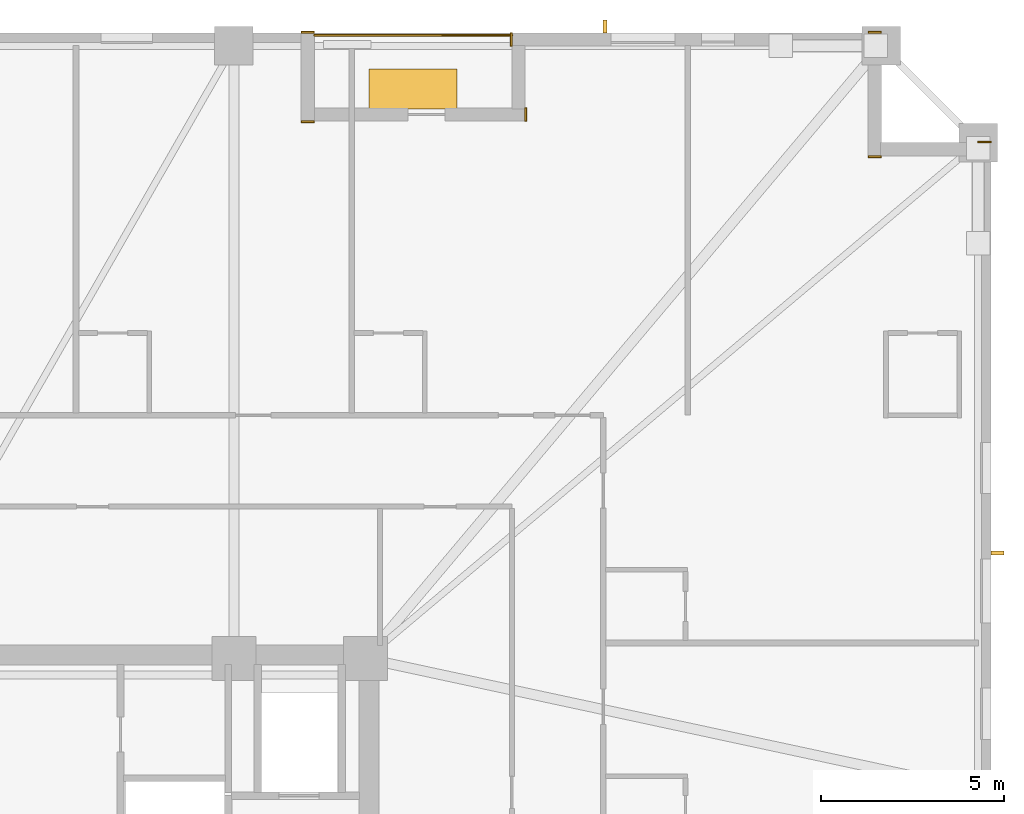
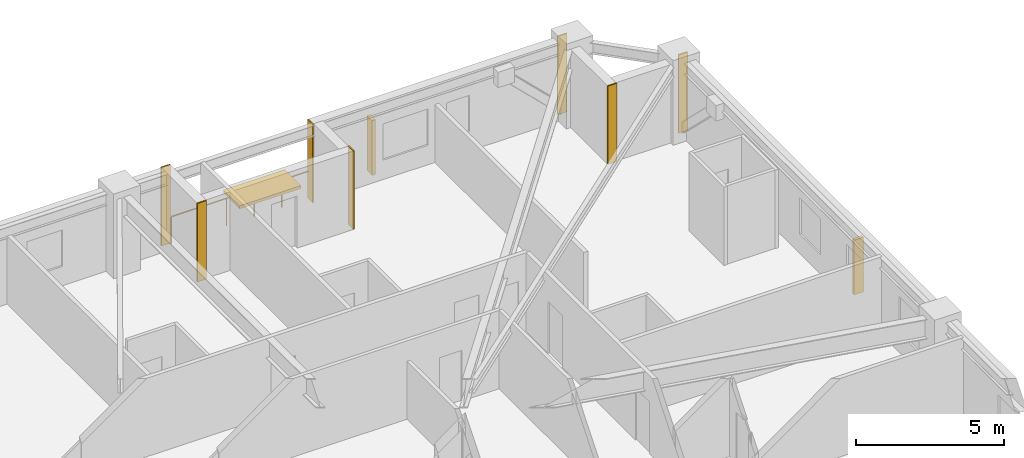
# One storey, part 11 of 11: 7 coverings, 3 shading devices, 1 railing.
"""IFC4 building model written with IfcOpenShell, lengths in metres."""

import ifcopenshell
import ifcopenshell.guid

model = None  # the IFC model being written
_history = None  # IfcOwnerHistory: only IFC2X3 demands one
_inside = {}  # id of a spatial element -> (the spatial element, [elements in it])
_under = {}  # id of a project, library or spatial element -> (it, [spatial elements below it])
_declared = {}  # id of a project -> (the project, [libraries it declares])
_typed = {}  # id of a type object -> (the type object, [elements of that type])
_made_of = {}  # id of a material, layer set ... -> (it, [elements and type objects made of it])


def new_model(schema):
    """Start an empty IFC model of exactly this schema.

    Asked for "IFC4X3", IfcOpenShell would pick the latest addendum, in which some entities
    have other attributes; the version numbers below select the first issue.
    IFC2X3 requires an IfcOwnerHistory on every rooted entity: one is made here for all.
    """
    global model, _history
    if schema == "IFC4X3":
        model = ifcopenshell.file(schema_version=(4, 3, 0, 0))
    else:
        model = ifcopenshell.file(schema=schema)
    _inside.clear()
    _under.clear()
    _declared.clear()
    _typed.clear()
    _made_of.clear()
    _history = None
    if model.schema == "IFC2X3":
        org = make("IfcOrganization", Name="unknown")
        user = make(
            "IfcPersonAndOrganization",
            ThePerson=make("IfcPerson", FamilyName="unknown"),
            TheOrganization=org,
        )
        app = make(
            "IfcApplication",
            ApplicationDeveloper=org,
            Version="unknown",
            ApplicationFullName="unknown",
            ApplicationIdentifier="unknown",
        )
        _history = make(
            "IfcOwnerHistory",
            OwningUser=user,
            OwningApplication=app,
            ChangeAction="ADDED",
            CreationDate=0,
        )
    return model


def make(cls, **values):
    """One entity of the class cls with the attributes given. An attribute that is None is left unset."""
    return model.create_entity(
        cls, **{name: value for name, value in values.items() if value is not None}
    )


def rooted(cls, **values):
    """An entity with a GlobalId (a new one), such as an element, a storey or a relation."""
    return make(cls, GlobalId=ifcopenshell.guid.new(), OwnerHistory=_history, **values)


def si_unit(unit_type, name, prefix=None):
    """IfcSIUnit, for example si_unit("LENGTHUNIT", "METRE", prefix="MILLI")."""
    return make("IfcSIUnit", UnitType=unit_type, Prefix=prefix, Name=name)


def assignment(units):
    """IfcUnitAssignment: the units of a project."""
    return None if units is None else make("IfcUnitAssignment", Units=units)


def point(xyz):
    """IfcCartesianPoint."""
    return None if xyz is None else make("IfcCartesianPoint", Coordinates=xyz)


def direction(xyz):
    """IfcDirection."""
    return None if xyz is None else make("IfcDirection", DirectionRatios=xyz)


def frame(location, z_axis=None, x_axis=None):
    """IfcAxis2Placement3D, a coordinate frame: its origin and axes. An axis left out is left unset."""
    return make(
        "IfcAxis2Placement3D",
        Location=point(location),
        Axis=direction(z_axis),
        RefDirection=direction(x_axis),
    )


def frame_2d(location, x_axis=None):
    """IfcAxis2Placement2D, a coordinate frame in the plane: its origin and x axis."""
    return make(
        "IfcAxis2Placement2D", Location=point(location), RefDirection=direction(x_axis)
    )


def origin():
    """The frame at (0, 0, 0) with its axes left unset."""
    return frame((0.0, 0.0, 0.0))


def origin_2d():
    """The frame at (0, 0) in the plane with its x axis left unset."""
    return frame_2d((0.0, 0.0))


def place(relative_to, where):
    """IfcLocalPlacement: puts the frame where relative to a parent placement (None: the world)."""
    return make(
        "IfcLocalPlacement", PlacementRelTo=relative_to, RelativePlacement=where
    )


def context(
    kind, dimensions, precision=None, world=None, true_north=None, identifier=None
):
    """IfcGeometricRepresentationContext, for example the 3D "Model" context."""
    return make(
        "IfcGeometricRepresentationContext",
        ContextIdentifier=identifier,
        ContextType=kind,
        CoordinateSpaceDimension=dimensions,
        Precision=precision,
        WorldCoordinateSystem=world,
        TrueNorth=true_north,
    )


def subcontext(parent, identifier, kind, view, scale=None):
    """IfcGeometricRepresentationSubContext, for example "Body" below "Model"."""
    return make(
        "IfcGeometricRepresentationSubContext",
        ContextIdentifier=identifier,
        ContextType=kind,
        ParentContext=parent,
        TargetScale=scale,
        TargetView=view,
    )


def project(units=None, contexts=None):
    """IfcProject with its units and contexts."""
    return rooted(
        "IfcProject",
        Name="project",
        RepresentationContexts=contexts,
        UnitsInContext=assignment(units),
    )


def spatial(cls, under=None, at=None, **own):
    """A site, building, storey or space (cls), placed at a placement, below another one or the project."""
    s = rooted(cls, ObjectPlacement=at, **own)
    if under is not None:
        _under.setdefault(under.id(), (under, []))[1].append(s)
    return s


def profile(cls, at=None, kind="AREA", **sizes):
    """A parametric profile (cls). Its sizes go by their IFC names, for example OverallWidth=200.0."""
    return make(cls, ProfileType=kind, Position=at, **sizes)


def rectangle(**sizes):
    """IfcRectangleProfileDef."""
    return profile("IfcRectangleProfileDef", **sizes)


def circle(**sizes):
    """IfcCircleProfileDef."""
    return profile("IfcCircleProfileDef", **sizes)


def extrude(swept, where, along, depth):
    """IfcExtrudedAreaSolid: the profile swept, set in the frame where, extruded along a direction by depth."""
    return make(
        "IfcExtrudedAreaSolid",
        SweptArea=swept,
        Position=where,
        ExtrudedDirection=direction(along),
        Depth=depth,
    )


def shape(context_of_items, identifier, shape_type, items):
    """IfcShapeRepresentation: the items that make up one representation, for example the "Body"."""
    return make(
        "IfcShapeRepresentation",
        ContextOfItems=context_of_items,
        RepresentationIdentifier=identifier,
        RepresentationType=shape_type,
        Items=items,
    )


def material(Name=None, Category=None):
    """IfcMaterial."""
    return make("IfcMaterial", Name=Name, Category=Category)


def layer(
    of_material, thickness, ventilated=None, Name=None, Category=None, Priority=None
):
    """IfcMaterialLayer: one layer of a wall or slab, of a material (None: an air gap)."""
    return make(
        "IfcMaterialLayer",
        Material=of_material,
        LayerThickness=thickness,
        IsVentilated=ventilated,
        Name=Name,
        Category=Category,
        Priority=Priority,
    )


def layer_set(layers, Name=None):
    """IfcMaterialLayerSet."""
    return make("IfcMaterialLayerSet", MaterialLayers=layers, LayerSetName=Name)


def made_of(thing, what):
    """Note that an element or type object is made of a material, layer set ...; save() writes the relation."""
    if what is not None:
        _made_of.setdefault(what.id(), (what, []))[1].append(thing)
    return thing


def type_object(cls, material=None, **own):
    """A type object (cls), such as IfcWallType, which elements share."""
    return made_of(rooted(cls, **own), material)


def element(
    cls,
    number,
    at=None,
    inside=None,
    cuts=None,
    type_object=None,
    material=None,
    context=None,
    identifier="Body",
    shape_type=None,
    held_by="IfcProductDefinitionShape",
    body=None,
    shapes=None,
    **own,
):
    """One element of the class cls, such as IfcWall. Its Tag is "e" and its number.

    at: its placement. inside: the storey or other place that contains it. cuts: it is an
    opening in that element (IfcRelVoidsElement). A single representation is given by context,
    identifier, shape_type and body (its items); several are given by shapes. held_by: the class
    of the entity that holds the representations. save() writes the other relations.
    """
    e = rooted(cls, Tag="e%d" % number, ObjectPlacement=at, **own)
    if body is not None:
        shapes = [shape(context, identifier, shape_type, body)]
    if shapes is not None:
        e.Representation = make(held_by, Representations=shapes)
    if inside is not None:
        _inside.setdefault(inside.id(), (inside, []))[1].append(e)
    if cuts is not None:
        rooted(
            "IfcRelVoidsElement", RelatingBuildingElement=cuts, RelatedOpeningElement=e
        )
    if type_object is not None:
        _typed.setdefault(type_object.id(), (type_object, []))[1].append(e)
    return made_of(e, material)


def aggregate(whole, parts):
    """IfcRelAggregates: a whole, such as a stair, and the parts it consists of."""
    return rooted("IfcRelAggregates", RelatingObject=whole, RelatedObjects=parts)


def save(model, path):
    """Write the relations noted so far, then the file.

    IfcRelAggregates (storeys below a building ...), IfcRelContainedInSpatialStructure (elements
    in a storey), IfcRelDefinesByType, IfcRelAssociatesMaterial and IfcRelDeclares: one each for
    every whole, place, type object, material and project.
    """
    for whole, parts in _under.values():
        aggregate(whole, parts)
    for where, things in _inside.values():
        rooted(
            "IfcRelContainedInSpatialStructure",
            RelatedElements=things,
            RelatingStructure=where,
        )
    for kind, things in _typed.values():
        rooted("IfcRelDefinesByType", RelatedObjects=things, RelatingType=kind)
    for what, things in _made_of.values():
        rooted("IfcRelAssociatesMaterial", RelatedObjects=things, RelatingMaterial=what)
    for by, libraries in _declared.values():
        rooted("IfcRelDeclares", RelatingContext=by, RelatedDefinitions=libraries)
    model.write(path)


model = new_model("IFC4")

# Units and contexts
model_context = context("Model", 3, precision=1e-05, world=origin(), true_north=direction((0.0, 1.0)))
body_context = subcontext(model_context, "Body", "Model", "MODEL_VIEW")
ifc_project = project(units=[si_unit("LENGTHUNIT", "METRE"), si_unit("AREAUNIT", "SQUARE_METRE"), si_unit("VOLUMEUNIT", "CUBIC_METRE"), si_unit("PLANEANGLEUNIT", "RADIAN"), si_unit("MASSUNIT", "GRAM", prefix="KILO")], contexts=[model_context])

# Site, building, storey
site_placement = place(None, origin())
site = spatial("IfcSite", under=ifc_project, at=site_placement, CompositionType="ELEMENT")
building_placement = place(site_placement, origin())
building = spatial("IfcBuilding", under=site, at=building_placement, Name="Cairnveth Concourse Tower", CompositionType="ELEMENT")
storey_placement = place(building_placement, frame((0.0, 0.0, 93.5)))
storey = spatial("IfcBuildingStorey", under=building, at=storey_placement, Name="L25", CompositionType="ELEMENT", Elevation=93.5)

# Coverings
ifc_material_1 = material(Name="Dressed Melbourne Bluestone Cladding", Category="masonry")
ifc_layer = layer(ifc_material_1, 0.050048828125)
ifc_layer_set = layer_set([ifc_layer], Name="Dressed Melbourne Bluestone Cladding")
covering_type = type_object("IfcCoveringType", Name="DRESSED BLUESTONE PLINTH CLADDING 50", PredefinedType="CLADDING", material=ifc_layer_set)
for number, where, z_axis, x_axis, name in (
    (1, (64.3798828125, 64.139892578125, 0.0), (0.0, 0.0, 1.0), (0.0, 1.0, 0.0), "Melbourne Bluestone Corner Quoin L25-343"),
    (2, (74.139892578125, 64.52001953125, 0.0), (0.0, 0.0, 1.0), (1.0, 0.0, 0.0), "Melbourne Bluestone Corner Quoin L25-344"),
    (3, (74.139892578125, 61.1201171875, 0.0), (0.0, 0.0, 1.0), (1.0, 0.0, 0.0), "Melbourne Bluestone Corner Quoin L25-345"),
    (4, (77.139892578125, 61.52001953125, 0.0), (0.0, 0.0, 1.0), (1.0, 0.0, 0.0), "Melbourne Bluestone Corner Quoin L25-346"),
    (5, (58.639892578125, 64.52001953125, 0.0), (0.0, 0.0, 1.0), (1.0, 0.0, 0.0), "Melbourne Bluestone Corner Quoin L25-356"),
    (6, (58.639892578125, 62.070068359375, 0.0), (0.0, 0.0, 1.0), (1.0, 0.0, 0.0), "Melbourne Bluestone Corner Quoin L25-357"),
):
    element("IfcCovering", number, at=place(storey_placement, frame(where, z_axis=z_axis, x_axis=x_axis)), inside=storey, type_object=covering_type, Name=name, PredefinedType="CLADDING", context=body_context, shape_type="SweptSolid", body=[
        extrude(rectangle(XDim=0.360107421875, YDim=0.050048828125, at=frame_2d((0.18017578125, 0.0))), origin(), (0.0, 0.0, 1.0), 3.239990234375),
    ])
covering_placement = place(storey_placement, frame((64.780029296875, 62.090087890625, 0.0), z_axis=(0.0, 0.0, 1.0), x_axis=(0.0, 1.0, 0.0)))
element("IfcCovering", 7, at=covering_placement, inside=storey, type_object=covering_type, Name="Melbourne Bluestone Corner Quoin L25-358", PredefinedType="CLADDING", context=body_context, shape_type="SweptSolid", body=[
    extrude(rectangle(XDim=0.35986328125, YDim=0.050048828125, at=frame_2d((0.179931640625, 0.0))), origin(), (0.0, 0.0, 1.0), 3.239990234375),
])

# Shading devices
ifc_material_2 = material(Name="Architectural Bronze Anodised Aluminium 6063-T6", Category="aluminium")
shading_device_type_1 = type_object("IfcShadingDeviceType", Name="GOTHIC BRONZE VERTICAL LANCET FIN", PredefinedType="USERDEFINED", material=ifc_material_2)
for number, where, z_axis, x_axis, name in (
    (8, (66.946044921875, 64.675048828125, 0.0302734375), (0.0, 0.0, 1.0), (1.0, 0.0, 0.0), "Gothic Bronze Vertical Fin L25-0-1"),
    (9, (77.675048828125, 50.284423828125, 0.0302734375), (0.0, 0.0, 1.0), (0.0, 1.0, 0.0), "Gothic Bronze Vertical Fin L25-3-3"),
):
    element("IfcShadingDevice", number, at=place(storey_placement, frame(where, z_axis=z_axis, x_axis=x_axis)), inside=storey, type_object=shading_device_type_1, Name=name, ObjectType="VERTICAL FIN", PredefinedType="USERDEFINED", context=body_context, shape_type="SweptSolid", body=[
        extrude(rectangle(XDim=0.1201171875, YDim=0.360107421875, at=origin_2d()), origin(), (0.0, 0.0, 1.0), 2.263916015625),
    ])
shading_device_type_2 = type_object("IfcShadingDeviceType", Name="SPIRAL TERRACE SUNSHADE CANOPY", PredefinedType="USERDEFINED", material=ifc_material_2)
shading_device_placement = place(storey_placement, frame((61.699951171875, 62.969970703125, 2.14404296875), z_axis=(0.0, 0.0, 1.0), x_axis=(1.0, 0.0, 0.0)))
element("IfcShadingDevice", 10, at=shading_device_placement, inside=storey, type_object=shading_device_type_2, Name="Spiral Terrace Sunshade L25", ObjectType="TERRACE SUNSHADE", PredefinedType="USERDEFINED", context=body_context, shape_type="SweptSolid", body=[
    extrude(rectangle(XDim=2.39990234375, YDim=1.10009765625, at=origin_2d()), origin(), (0.0, 0.0, 1.0), 0.1201171875),
])

# Railing
railing_type = type_object("IfcRailingType", Name="TERRACE BRONZE BALUSTRADE 1150", PredefinedType="BALUSTRADE", material=ifc_material_2)
railing_placement = place(storey_placement, frame((59.0, 64.43994140625, 0.0)))
element("IfcRailing", 11, at=railing_placement, inside=storey, type_object=railing_type, Name="Terrace Balustrade RL-L25-TERR", PredefinedType="BALUSTRADE", context=body_context, shape_type="SweptSolid", body=[
    extrude(circle(Radius=0.02490234375, at=origin_2d()), frame((0.0, 0.0, 1.125), z_axis=(1.0, 0.0, 0.0), x_axis=(0.0, 1.0, 0.0)), (0.0, 0.0, 1.0), 5.39990234375),
    extrude(circle(Radius=0.02099609375, at=origin_2d()), origin(), (0.0, 0.0, 1.0), 1.099853515625),
    extrude(circle(Radius=0.02099609375, at=origin_2d()), frame((1.080078125, 0.0, 0.0)), (0.0, 0.0, 1.0), 1.099853515625),
    extrude(circle(Radius=0.02099609375, at=origin_2d()), frame((2.159912109375, 0.0, 0.0)), (0.0, 0.0, 1.0), 1.099853515625),
    extrude(circle(Radius=0.02099609375, at=origin_2d()), frame((3.239990234375, 0.0, 0.0)), (0.0, 0.0, 1.0), 1.099853515625),
    extrude(circle(Radius=0.02099609375, at=origin_2d()), frame((4.31982421875, 0.0, 0.0)), (0.0, 0.0, 1.0), 1.099853515625),
    extrude(circle(Radius=0.02099609375, at=origin_2d()), frame((5.39990234375, 0.0, 0.0)), (0.0, 0.0, 1.0), 1.099853515625),
])

save(model, "model.ifc")
